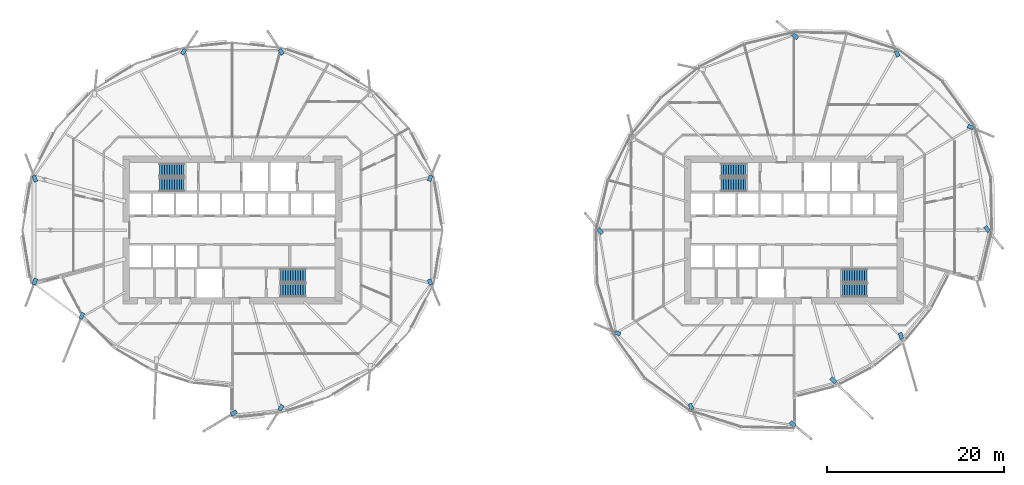
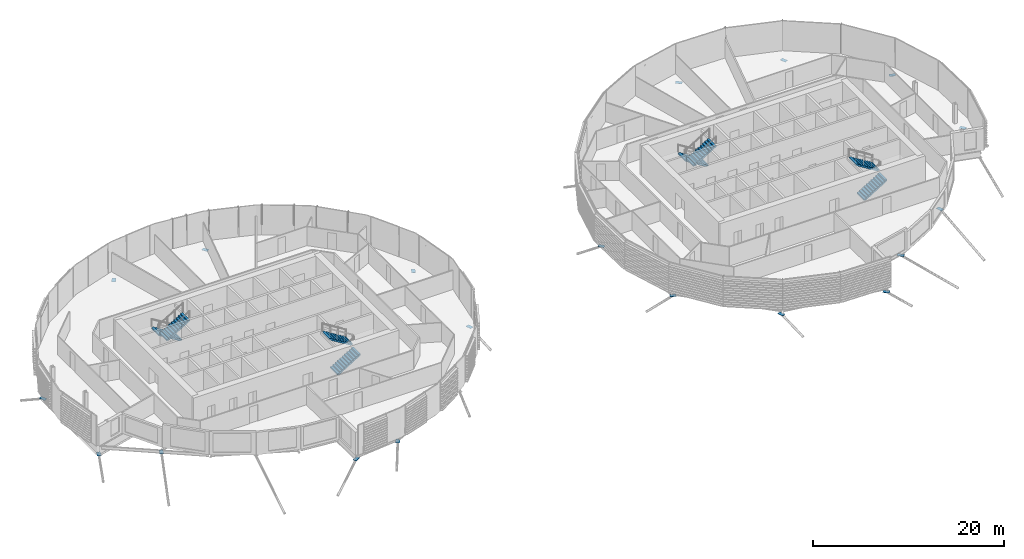
# One storey, part 27 of 40: 19 discrete accessories, 8 stair flights, 4 elements without a shape of their own.
"""IFC4 building model written with IfcOpenShell, lengths in metres."""

from ifc_helpers import new_model, si_unit, direction, frame, origin, origin_2d, place, context, subcontext, project, spatial, polyline, rectangle, outline, extrude, material, material_profile, profile_set, type_object, element, aggregate, save


model = new_model("IFC4")

# Units and contexts
model_context = context("Model", 3, precision=1e-05, world=origin(), true_north=direction((0.0, 1.0)))
body_context = subcontext(model_context, "Body", "Model", "MODEL_VIEW")
ifc_project = project(units=[si_unit("LENGTHUNIT", "METRE"), si_unit("AREAUNIT", "SQUARE_METRE"), si_unit("VOLUMEUNIT", "CUBIC_METRE"), si_unit("PLANEANGLEUNIT", "RADIAN"), si_unit("MASSUNIT", "GRAM", prefix="KILO")], contexts=[model_context])

# Site, building, storey
site_placement = place(None, origin())
site = spatial("IfcSite", under=ifc_project, at=site_placement, CompositionType="ELEMENT")
building_placement = place(site_placement, origin())
building = spatial("IfcBuilding", under=site, at=building_placement, Name="Rimbun Link Towers", CompositionType="ELEMENT")
storey_placement = place(building_placement, frame((0.0, 0.0, 89.199951171875)))
storey = spatial("IfcBuildingStorey", under=building, at=storey_placement, Name="L21", CompositionType="ELEMENT", Elevation=89.199951171875)

# Stair, stair flights
ifc_material_1 = material(Name="Concrete C40/50", Category="concrete")
stair_type = type_object("IfcStairType", Name="Exit stair 3800 rise", PredefinedType="HALF_TURN_STAIR", material=ifc_material_1)
stair_1_placement = place(storey_placement, origin())
stair_1 = element("IfcStair", 1, at=stair_1_placement, inside=storey, type_object=stair_type, Name="L21 EXIT STAIR A", PredefinedType="HALF_TURN_STAIR")
ifc_material_2 = material(Name="Concrete C40/50", Category="concrete")
stair_flight_type = type_object("IfcStairFlightType", Name="Exit stair flight 3800 rise", PredefinedType="STRAIGHT", material=ifc_material_2)
stair_flight_1_placement = place(storey_placement, frame((-37.199951171875, 6.800048828125, 0.0), z_axis=(0.0, 0.0, 1.0), x_axis=(-1.0, 0.0, 0.0)))
stair_flight_1 = element("IfcStairFlight", 2, at=stair_flight_1_placement, type_object=stair_flight_type, Name="ST1 flight 1", NumberOfRisers=11, NumberOfTreads=10, PredefinedType="STRAIGHT", RiserHeight=0.172727273, TreadLength=0.28, context=body_context, shape_type="SweptSolid", body=[
    extrude(outline(polyline([(0.0, 0.0), (0.0, 0.172607421875), (0.280029296875, 0.172607421875), (0.280029296875, 0.345458984375), (0.56005859375, 0.345458984375), (0.56005859375, 0.51806640625), (0.840087890625, 0.51806640625), (0.840087890625, 0.69091796875), (1.1201171875, 0.69091796875), (1.1201171875, 0.863525390625), (1.39990234375, 0.863525390625), (1.39990234375, 1.036376953125), (1.679931640625, 1.036376953125), (1.679931640625, 1.208984375), (1.9599609375, 1.208984375), (1.9599609375, 1.3818359375), (2.239990234375, 1.3818359375), (2.239990234375, 1.554443359375), (2.52001953125, 1.554443359375), (2.52001953125, 1.727294921875), (2.800048828125, 1.727294921875), (2.800048828125, 1.89990234375), (2.800048828125, 1.551025390625), (0.280029296875, 0.0), (0.0, 0.0)])), frame((0.0, 0.75, 0.0), z_axis=(0.0, -1.0, 0.0), x_axis=(1.0, 0.0, 0.0)), (0.0, 0.0, 1.0), 1.5),
])
stair_flight_2_placement = place(storey_placement, frame((-40.0, 5.14990234375, 1.900146484375), z_axis=(0.0, 0.0, 1.0), x_axis=(1.0, 0.0, 0.0)))
stair_flight_2 = element("IfcStairFlight", 3, at=stair_flight_2_placement, type_object=stair_flight_type, Name="ST1 flight 2", NumberOfRisers=11, NumberOfTreads=10, PredefinedType="STRAIGHT", RiserHeight=0.172727273, TreadLength=0.28, context=body_context, shape_type="SweptSolid", body=[
    extrude(outline(polyline([(0.0, 0.0), (0.0, 0.172607421875), (0.280029296875, 0.172607421875), (0.280029296875, 0.345458984375), (0.56005859375, 0.345458984375), (0.56005859375, 0.51806640625), (0.840087890625, 0.51806640625), (0.840087890625, 0.69091796875), (1.1201171875, 0.69091796875), (1.1201171875, 0.863525390625), (1.39990234375, 0.863525390625), (1.39990234375, 1.036376953125), (1.679931640625, 1.036376953125), (1.679931640625, 1.208984375), (1.9599609375, 1.208984375), (1.9599609375, 1.3818359375), (2.239990234375, 1.3818359375), (2.239990234375, 1.554443359375), (2.52001953125, 1.554443359375), (2.52001953125, 1.727294921875), (2.800048828125, 1.727294921875), (2.800048828125, 1.89990234375), (2.800048828125, 1.551025390625), (0.280029296875, 0.0), (0.0, 0.0)])), frame((0.0, 0.75, 0.0), z_axis=(0.0, -1.0, 0.0), x_axis=(1.0, 0.0, 0.0)), (0.0, 0.0, 1.0), 1.5),
])
aggregate(stair_1, [stair_flight_1, stair_flight_2])

stair_2_placement = place(storey_placement, origin())
stair_2 = element("IfcStair", 4, at=stair_2_placement, inside=storey, type_object=stair_type, Name="L21 EXIT STAIR B", PredefinedType="HALF_TURN_STAIR")
stair_flight_3_placement = place(storey_placement, frame((-26.300048828125, -6.800048828125, 0.0), z_axis=(0.0, 0.0, 1.0), x_axis=(1.0, 0.0, 0.0)))
stair_flight_3 = element("IfcStairFlight", 5, at=stair_flight_3_placement, type_object=stair_flight_type, Name="ST2 flight 1", NumberOfRisers=11, NumberOfTreads=10, PredefinedType="STRAIGHT", RiserHeight=0.172727273, TreadLength=0.28, context=body_context, shape_type="SweptSolid", body=[
    extrude(outline(polyline([(0.0, 0.0), (0.0, 0.172607421875), (0.280029296875, 0.172607421875), (0.280029296875, 0.345458984375), (0.56005859375, 0.345458984375), (0.56005859375, 0.51806640625), (0.840087890625, 0.51806640625), (0.840087890625, 0.69091796875), (1.1201171875, 0.69091796875), (1.1201171875, 0.863525390625), (1.39990234375, 0.863525390625), (1.39990234375, 1.036376953125), (1.679931640625, 1.036376953125), (1.679931640625, 1.208984375), (1.9599609375, 1.208984375), (1.9599609375, 1.3818359375), (2.239990234375, 1.3818359375), (2.239990234375, 1.554443359375), (2.52001953125, 1.554443359375), (2.52001953125, 1.727294921875), (2.800048828125, 1.727294921875), (2.800048828125, 1.89990234375), (2.800048828125, 1.551025390625), (0.280029296875, 0.0), (0.0, 0.0)])), frame((0.0, 0.75, 0.0), z_axis=(0.0, -1.0, 0.0), x_axis=(1.0, 0.0, 0.0)), (0.0, 0.0, 1.0), 1.5),
])
stair_flight_4_placement = place(storey_placement, frame((-23.5, -5.14990234375, 1.900146484375), z_axis=(0.0, 0.0, 1.0), x_axis=(-1.0, 0.0, 0.0)))
stair_flight_4 = element("IfcStairFlight", 6, at=stair_flight_4_placement, type_object=stair_flight_type, Name="ST2 flight 2", NumberOfRisers=11, NumberOfTreads=10, PredefinedType="STRAIGHT", RiserHeight=0.172727273, TreadLength=0.28, context=body_context, shape_type="SweptSolid", body=[
    extrude(outline(polyline([(0.0, 0.0), (0.0, 0.172607421875), (0.280029296875, 0.172607421875), (0.280029296875, 0.345458984375), (0.56005859375, 0.345458984375), (0.56005859375, 0.51806640625), (0.840087890625, 0.51806640625), (0.840087890625, 0.69091796875), (1.1201171875, 0.69091796875), (1.1201171875, 0.863525390625), (1.39990234375, 0.863525390625), (1.39990234375, 1.036376953125), (1.679931640625, 1.036376953125), (1.679931640625, 1.208984375), (1.9599609375, 1.208984375), (1.9599609375, 1.3818359375), (2.239990234375, 1.3818359375), (2.239990234375, 1.554443359375), (2.52001953125, 1.554443359375), (2.52001953125, 1.727294921875), (2.800048828125, 1.727294921875), (2.800048828125, 1.89990234375), (2.800048828125, 1.551025390625), (0.280029296875, 0.0), (0.0, 0.0)])), frame((0.0, 0.75, 0.0), z_axis=(0.0, -1.0, 0.0), x_axis=(1.0, 0.0, 0.0)), (0.0, 0.0, 1.0), 1.5),
])
aggregate(stair_2, [stair_flight_3, stair_flight_4])

stair_3_placement = place(storey_placement, origin())
stair_3 = element("IfcStair", 7, at=stair_3_placement, inside=storey, type_object=stair_type, Name="L21 EXIT STAIR A", PredefinedType="HALF_TURN_STAIR")
stair_flight_5_placement = place(storey_placement, frame((26.300048828125, 6.800048828125, 0.0), z_axis=(0.0, 0.0, 1.0), x_axis=(-1.0, 0.0, 0.0)))
stair_flight_5 = element("IfcStairFlight", 8, at=stair_flight_5_placement, type_object=stair_flight_type, Name="ST3 flight 1", NumberOfRisers=11, NumberOfTreads=10, PredefinedType="STRAIGHT", RiserHeight=0.172727273, TreadLength=0.28, context=body_context, shape_type="SweptSolid", body=[
    extrude(outline(polyline([(0.0, 0.0), (0.0, 0.172607421875), (0.280029296875, 0.172607421875), (0.280029296875, 0.345458984375), (0.56005859375, 0.345458984375), (0.56005859375, 0.51806640625), (0.840087890625, 0.51806640625), (0.840087890625, 0.69091796875), (1.1201171875, 0.69091796875), (1.1201171875, 0.863525390625), (1.39990234375, 0.863525390625), (1.39990234375, 1.036376953125), (1.679931640625, 1.036376953125), (1.679931640625, 1.208984375), (1.9599609375, 1.208984375), (1.9599609375, 1.3818359375), (2.239990234375, 1.3818359375), (2.239990234375, 1.554443359375), (2.52001953125, 1.554443359375), (2.52001953125, 1.727294921875), (2.800048828125, 1.727294921875), (2.800048828125, 1.89990234375), (2.800048828125, 1.551025390625), (0.280029296875, 0.0), (0.0, 0.0)])), frame((0.0, 0.75, 0.0), z_axis=(0.0, -1.0, 0.0), x_axis=(1.0, 0.0, 0.0)), (0.0, 0.0, 1.0), 1.5),
])
stair_flight_6_placement = place(storey_placement, frame((23.5, 5.14990234375, 1.900146484375), z_axis=(0.0, 0.0, 1.0), x_axis=(1.0, 0.0, 0.0)))
stair_flight_6 = element("IfcStairFlight", 9, at=stair_flight_6_placement, type_object=stair_flight_type, Name="ST3 flight 2", NumberOfRisers=11, NumberOfTreads=10, PredefinedType="STRAIGHT", RiserHeight=0.172727273, TreadLength=0.28, context=body_context, shape_type="SweptSolid", body=[
    extrude(outline(polyline([(0.0, 0.0), (0.0, 0.172607421875), (0.280029296875, 0.172607421875), (0.280029296875, 0.345458984375), (0.56005859375, 0.345458984375), (0.56005859375, 0.51806640625), (0.840087890625, 0.51806640625), (0.840087890625, 0.69091796875), (1.1201171875, 0.69091796875), (1.1201171875, 0.863525390625), (1.39990234375, 0.863525390625), (1.39990234375, 1.036376953125), (1.679931640625, 1.036376953125), (1.679931640625, 1.208984375), (1.9599609375, 1.208984375), (1.9599609375, 1.3818359375), (2.239990234375, 1.3818359375), (2.239990234375, 1.554443359375), (2.52001953125, 1.554443359375), (2.52001953125, 1.727294921875), (2.800048828125, 1.727294921875), (2.800048828125, 1.89990234375), (2.800048828125, 1.551025390625), (0.280029296875, 0.0), (0.0, 0.0)])), frame((0.0, 0.75, 0.0), z_axis=(0.0, -1.0, 0.0), x_axis=(1.0, 0.0, 0.0)), (0.0, 0.0, 1.0), 1.5),
])
aggregate(stair_3, [stair_flight_5, stair_flight_6])

stair_4_placement = place(storey_placement, origin())
stair_4 = element("IfcStair", 10, at=stair_4_placement, inside=storey, type_object=stair_type, Name="L21 EXIT STAIR B", PredefinedType="HALF_TURN_STAIR")
stair_flight_7_placement = place(storey_placement, frame((37.199951171875, -6.800048828125, 0.0), z_axis=(0.0, 0.0, 1.0), x_axis=(1.0, 0.0, 0.0)))
stair_flight_7 = element("IfcStairFlight", 11, at=stair_flight_7_placement, type_object=stair_flight_type, Name="ST4 flight 1", NumberOfRisers=11, NumberOfTreads=10, PredefinedType="STRAIGHT", RiserHeight=0.172727273, TreadLength=0.28, context=body_context, shape_type="SweptSolid", body=[
    extrude(outline(polyline([(0.0, 0.0), (0.0, 0.172607421875), (0.280029296875, 0.172607421875), (0.280029296875, 0.345458984375), (0.56005859375, 0.345458984375), (0.56005859375, 0.51806640625), (0.840087890625, 0.51806640625), (0.840087890625, 0.69091796875), (1.1201171875, 0.69091796875), (1.1201171875, 0.863525390625), (1.39990234375, 0.863525390625), (1.39990234375, 1.036376953125), (1.679931640625, 1.036376953125), (1.679931640625, 1.208984375), (1.9599609375, 1.208984375), (1.9599609375, 1.3818359375), (2.239990234375, 1.3818359375), (2.239990234375, 1.554443359375), (2.52001953125, 1.554443359375), (2.52001953125, 1.727294921875), (2.800048828125, 1.727294921875), (2.800048828125, 1.89990234375), (2.800048828125, 1.551025390625), (0.280029296875, 0.0), (0.0, 0.0)])), frame((0.0, 0.75, 0.0), z_axis=(0.0, -1.0, 0.0), x_axis=(1.0, 0.0, 0.0)), (0.0, 0.0, 1.0), 1.5),
])
stair_flight_8_placement = place(storey_placement, frame((40.0, -5.14990234375, 1.900146484375), z_axis=(0.0, 0.0, 1.0), x_axis=(-1.0, 0.0, 0.0)))
stair_flight_8 = element("IfcStairFlight", 12, at=stair_flight_8_placement, type_object=stair_flight_type, Name="ST4 flight 2", NumberOfRisers=11, NumberOfTreads=10, PredefinedType="STRAIGHT", RiserHeight=0.172727273, TreadLength=0.28, context=body_context, shape_type="SweptSolid", body=[
    extrude(outline(polyline([(0.0, 0.0), (0.0, 0.172607421875), (0.280029296875, 0.172607421875), (0.280029296875, 0.345458984375), (0.56005859375, 0.345458984375), (0.56005859375, 0.51806640625), (0.840087890625, 0.51806640625), (0.840087890625, 0.69091796875), (1.1201171875, 0.69091796875), (1.1201171875, 0.863525390625), (1.39990234375, 0.863525390625), (1.39990234375, 1.036376953125), (1.679931640625, 1.036376953125), (1.679931640625, 1.208984375), (1.9599609375, 1.208984375), (1.9599609375, 1.3818359375), (2.239990234375, 1.3818359375), (2.239990234375, 1.554443359375), (2.52001953125, 1.554443359375), (2.52001953125, 1.727294921875), (2.800048828125, 1.727294921875), (2.800048828125, 1.89990234375), (2.800048828125, 1.551025390625), (0.280029296875, 0.0), (0.0, 0.0)])), frame((0.0, 0.75, 0.0), z_axis=(0.0, -1.0, 0.0), x_axis=(1.0, 0.0, 0.0)), (0.0, 0.0, 1.0), 1.5),
])
aggregate(stair_4, [stair_flight_7, stair_flight_8])

# Discrete accessories
ifc_material_3 = material(Name="Steel S355J2H", Category="steel")
ifc_material_profile = material_profile(ifc_material_3, rectangle(XDim=0.43310546875, YDim=0.43310546875, at=origin_2d()), Name="PL 433x433")
ifc_profile_set = profile_set([ifc_material_profile], Name="Steel S355J2H")
discrete_accessory_type = type_object("IfcDiscreteAccessoryType", Name="Link head end plate 433X20", PredefinedType="BRACKET", material=ifc_profile_set)
discrete_accessory_1_placement = place(storey_placement, frame((0.0, 0.0, -0.782470703125)))
element("IfcDiscreteAccessory", 13, at=discrete_accessory_1_placement, inside=storey, type_object=discrete_accessory_type, Name="Link head end plate T1 L21 01", PredefinedType="BRACKET", context=body_context, shape_type="SweptSolid", body=[
    extrude(outline(polyline([(-9.323486328125, 5.472412109375), (-9.06982421875, 6.09375), (-9.470703125, 6.25732421875), (-9.724365234375, 5.635986328125), (-9.323486328125, 5.472412109375)])), origin(), (0.0, 0.0, 1.0), 0.02001953125),
])
discrete_accessory_2_placement = place(storey_placement, frame((0.0, 0.0, -0.863525390625)))
element("IfcDiscreteAccessory", 14, at=discrete_accessory_2_placement, inside=storey, type_object=discrete_accessory_type, Name="Link head end plate T1 L21 05", PredefinedType="BRACKET", context=body_context, shape_type="SweptSolid", body=[
    extrude(outline(polyline([(-25.86083984375, 20.000244140625), (-26.2333984375, 20.565185546875), (-26.5947265625, 20.326904296875), (-26.222412109375, 19.761962890625), (-25.86083984375, 20.000244140625)])), origin(), (0.0, 0.0, 1.0), 0.02001953125),
])
discrete_accessory_3_placement = place(storey_placement, frame((0.0, 0.0, -0.863525390625)))
element("IfcDiscreteAccessory", 15, at=discrete_accessory_3_placement, inside=storey, type_object=discrete_accessory_type, Name="Link head end plate T1 L21 07", PredefinedType="BRACKET", context=body_context, shape_type="SweptSolid", body=[
    extrude(outline(polyline([(-37.277587890625, 19.761962890625), (-36.9052734375, 20.326904296875), (-37.2666015625, 20.565185546875), (-37.63916015625, 20.000244140625), (-37.277587890625, 19.761962890625)])), origin(), (0.0, 0.0, 1.0), 0.02001953125),
])
discrete_accessory_4_placement = place(storey_placement, frame((0.0, 0.0, -1.3798828125)))
element("IfcDiscreteAccessory", 16, at=discrete_accessory_4_placement, inside=storey, type_object=discrete_accessory_type, Name="Link head end plate T1 L21 11", PredefinedType="BRACKET", context=body_context, shape_type="SweptSolid", body=[
    extrude(outline(polyline([(-53.75634765625, 5.54931640625), (-54.021484375, 6.250732421875), (-54.426513671875, 6.09765625), (-54.161376953125, 5.39599609375), (-53.75634765625, 5.54931640625)])), origin(), (0.0, 0.0, 1.0), 0.02001953125),
])
discrete_accessory_5_placement = place(storey_placement, frame((0.0, 0.0, -1.3798828125)))
element("IfcDiscreteAccessory", 17, at=discrete_accessory_5_placement, inside=storey, type_object=discrete_accessory_type, Name="Link head end plate T1 L21 13", PredefinedType="BRACKET", context=body_context, shape_type="SweptSolid", body=[
    extrude(outline(polyline([(-54.161376953125, -5.39599609375), (-54.426513671875, -6.09765625), (-54.021484375, -6.250732421875), (-53.75634765625, -5.54931640625), (-54.161376953125, -5.39599609375)])), origin(), (0.0, 0.0, 1.0), 0.02001953125),
])
discrete_accessory_6_placement = place(storey_placement, frame((0.0, 0.0, -0.63330078125)))
element("IfcDiscreteAccessory", 18, at=discrete_accessory_6_placement, inside=storey, type_object=discrete_accessory_type, Name="Link head end plate T1 L21 14", PredefinedType="BRACKET", context=body_context, shape_type="SweptSolid", body=[
    extrude(outline(polyline([(-48.832763671875, -9.26416015625), (-49.11083984375, -9.954345703125), (-48.709228515625, -10.1162109375), (-48.43115234375, -9.426025390625), (-48.832763671875, -9.26416015625)])), origin(), (0.0, 0.0, 1.0), 0.02001953125),
])
discrete_accessory_7_placement = place(storey_placement, frame((0.0, 0.0, -0.863525390625)))
element("IfcDiscreteAccessory", 19, at=discrete_accessory_7_placement, inside=storey, type_object=discrete_accessory_type, Name="Link head end plate T1 L21 18", PredefinedType="BRACKET", context=body_context, shape_type="SweptSolid", body=[
    extrude(outline(polyline([(-31.400634765625, -20.3125), (-32.016845703125, -20.681640625), (-31.79443359375, -21.052978515625), (-31.177978515625, -20.68408203125), (-31.400634765625, -20.3125)])), origin(), (0.0, 0.0, 1.0), 0.02001953125),
])
discrete_accessory_8_placement = place(storey_placement, frame((0.0, 0.0, -0.863525390625)))
element("IfcDiscreteAccessory", 20, at=discrete_accessory_8_placement, inside=storey, type_object=discrete_accessory_type, Name="Link head end plate T1 L21 19", PredefinedType="BRACKET", context=body_context, shape_type="SweptSolid", body=[
    extrude(outline(polyline([(-26.2529296875, -19.665283203125), (-26.6171875, -20.24462890625), (-26.250732421875, -20.47509765625), (-25.886474609375, -19.89599609375), (-26.2529296875, -19.665283203125)])), origin(), (0.0, 0.0, 1.0), 0.02001953125),
])
discrete_accessory_9_placement = place(storey_placement, frame((0.0, 0.0, -0.782470703125)))
element("IfcDiscreteAccessory", 21, at=discrete_accessory_9_placement, inside=storey, type_object=discrete_accessory_type, Name="Link head end plate T1 L21 23", PredefinedType="BRACKET", context=body_context, shape_type="SweptSolid", body=[
    extrude(outline(polyline([(-9.724365234375, -5.635986328125), (-9.470703125, -6.25732421875), (-9.06982421875, -6.09375), (-9.323486328125, -5.472412109375), (-9.724365234375, -5.635986328125)])), origin(), (0.0, 0.0, 1.0), 0.02001953125),
])
discrete_accessory_10_placement = place(storey_placement, frame((0.0, 0.0, -0.942138671875)))
element("IfcDiscreteAccessory", 22, at=discrete_accessory_10_placement, inside=storey, type_object=discrete_accessory_type, Name="Link head end plate T2 L21 01", PredefinedType="BRACKET", context=body_context, shape_type="SweptSolid", body=[
    extrude(outline(polyline([(43.74853515625, 19.712646484375), (43.476806640625, 20.34619140625), (43.0791015625, 20.175537109375), (43.3505859375, 19.5419921875), (43.74853515625, 19.712646484375)])), origin(), (0.0, 0.0, 1.0), 0.02001953125),
])
discrete_accessory_11_placement = place(storey_placement, frame((0.0, 0.0, -0.942138671875)))
element("IfcDiscreteAccessory", 23, at=discrete_accessory_11_placement, inside=storey, type_object=discrete_accessory_type, Name="Link head end plate T2 L21 03", PredefinedType="BRACKET", context=body_context, shape_type="SweptSolid", body=[
    extrude(outline(polyline([(32.29931640625, 21.853271484375), (31.7451171875, 22.304443359375), (31.4716796875, 21.968505859375), (32.026123046875, 21.517333984375), (32.29931640625, 21.853271484375)])), origin(), (0.0, 0.0, 1.0), 0.02001953125),
])
discrete_accessory_12_placement = place(storey_placement, frame((0.0, 0.0, -0.713134765625)))
element("IfcDiscreteAccessory", 24, at=discrete_accessory_12_placement, inside=storey, type_object=discrete_accessory_type, Name="Link head end plate T2 L21 09", PredefinedType="BRACKET", context=body_context, shape_type="SweptSolid", body=[
    extrude(outline(polyline([(10.21533203125, -0.246337890625), (9.777587890625, 0.27978515625), (9.444580078125, 0.0029296875), (9.882568359375, -0.523193359375), (10.21533203125, -0.246337890625)])), origin(), (0.0, 0.0, 1.0), 0.02001953125),
])
discrete_accessory_13_placement = place(storey_placement, frame((0.0, 0.0, -0.713134765625)))
element("IfcDiscreteAccessory", 25, at=discrete_accessory_13_placement, inside=storey, type_object=discrete_accessory_type, Name="Link head end plate T2 L21 11", PredefinedType="BRACKET", context=body_context, shape_type="SweptSolid", body=[
    extrude(outline(polyline([(12.18310546875, -11.584716796875), (11.5703125, -11.329345703125), (11.40380859375, -11.72900390625), (12.0166015625, -11.984375), (12.18310546875, -11.584716796875)])), origin(), (0.0, 0.0, 1.0), 0.02001953125),
])
discrete_accessory_14_placement = place(storey_placement, frame((0.0, 0.0, -0.942138671875)))
element("IfcDiscreteAccessory", 26, at=discrete_accessory_14_placement, inside=storey, type_object=discrete_accessory_type, Name="Link head end plate T2 L21 13", PredefinedType="BRACKET", context=body_context, shape_type="SweptSolid", body=[
    extrude(outline(polyline([(19.75146484375, -19.712646484375), (20.023193359375, -20.34619140625), (20.4208984375, -20.175537109375), (20.1494140625, -19.5419921875), (19.75146484375, -19.712646484375)])), origin(), (0.0, 0.0, 1.0), 0.02001953125),
])
discrete_accessory_15_placement = place(storey_placement, frame((0.0, 0.0, -0.942138671875)))
element("IfcDiscreteAccessory", 27, at=discrete_accessory_15_placement, inside=storey, type_object=discrete_accessory_type, Name="Link head end plate T2 L21 15", PredefinedType="BRACKET", context=body_context, shape_type="SweptSolid", body=[
    extrude(outline(polyline([(31.20068359375, -21.853271484375), (31.7548828125, -22.304443359375), (32.0283203125, -21.968505859375), (31.473876953125, -21.517333984375), (31.20068359375, -21.853271484375)])), origin(), (0.0, 0.0, 1.0), 0.02001953125),
])
discrete_accessory_16_placement = place(storey_placement, frame((0.0, 0.0, -0.863525390625)))
element("IfcDiscreteAccessory", 28, at=discrete_accessory_16_placement, inside=storey, type_object=discrete_accessory_type, Name="Link head end plate T2 L21 16", PredefinedType="BRACKET", context=body_context, shape_type="SweptSolid", body=[
    extrude(outline(polyline([(35.767822265625, -16.8701171875), (36.3154296875, -17.4033203125), (36.617431640625, -17.09326171875), (36.070068359375, -16.559814453125), (35.767822265625, -16.8701171875)])), origin(), (0.0, 0.0, 1.0), 0.02001953125),
])
discrete_accessory_17_placement = place(storey_placement, frame((0.0, 0.0, -0.713134765625)))
element("IfcDiscreteAccessory", 29, at=discrete_accessory_17_placement, inside=storey, type_object=discrete_accessory_type, Name="Link head end plate T2 L21 18", PredefinedType="BRACKET", context=body_context, shape_type="SweptSolid", body=[
    extrude(outline(polyline([(43.53173828125, -11.66162109375), (43.7353515625, -12.37646484375), (44.15185546875, -12.2578125), (43.9482421875, -11.54296875), (43.53173828125, -11.66162109375)])), origin(), (0.0, 0.0, 1.0), 0.02001953125),
])
discrete_accessory_18_placement = place(storey_placement, frame((0.0, 0.0, -1.098388671875)))
element("IfcDiscreteAccessory", 30, at=discrete_accessory_18_placement, inside=storey, type_object=discrete_accessory_type, Name="Link head end plate T2 L21 21", PredefinedType="BRACKET", context=body_context, shape_type="SweptSolid", body=[
    extrude(outline(polyline([(53.183349609375, 0.267333984375), (53.625732421875, -0.2783203125), (53.962158203125, -0.005859375), (53.519775390625, 0.5400390625), (53.183349609375, 0.267333984375)])), origin(), (0.0, 0.0, 1.0), 0.02001953125),
])
discrete_accessory_19_placement = place(storey_placement, frame((0.0, 0.0, -0.713134765625)))
element("IfcDiscreteAccessory", 31, at=discrete_accessory_19_placement, inside=storey, type_object=discrete_accessory_type, Name="Link head end plate T2 L21 23", PredefinedType="BRACKET", context=body_context, shape_type="SweptSolid", body=[
    extrude(outline(polyline([(51.31689453125, 11.584716796875), (51.9296875, 11.329345703125), (52.09619140625, 11.72900390625), (51.4833984375, 11.984375), (51.31689453125, 11.584716796875)])), origin(), (0.0, 0.0, 1.0), 0.02001953125),
])

save(model, "model.ifc")
